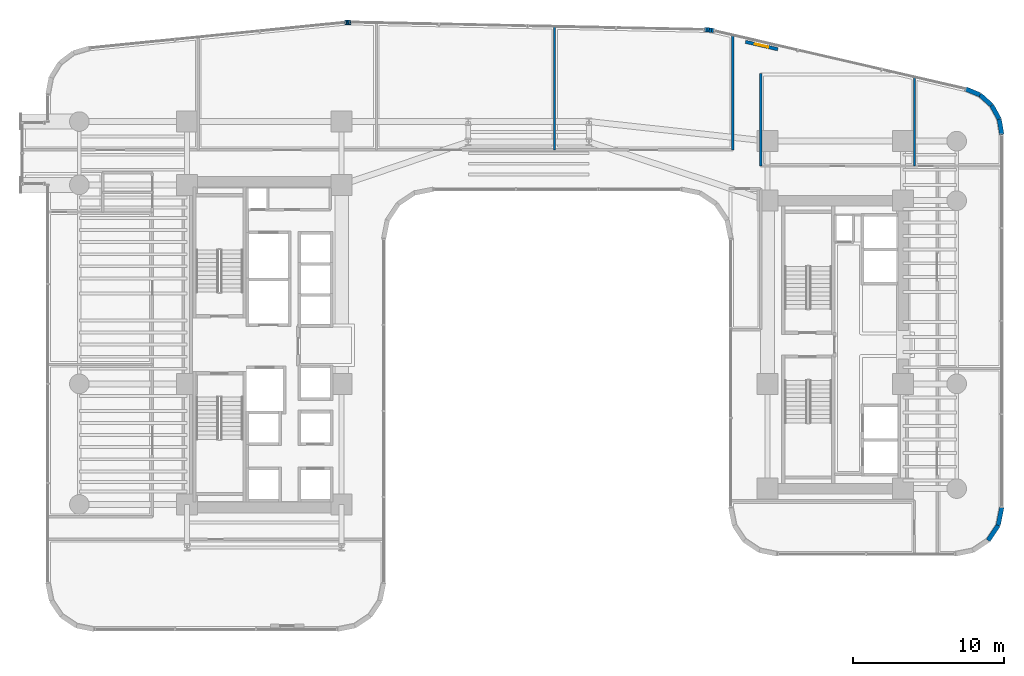
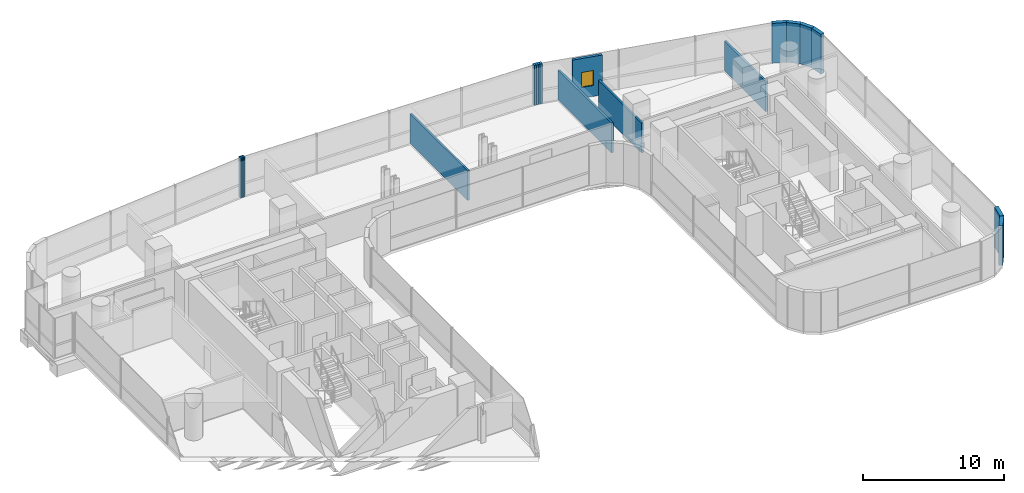
# One storey, part 35 of 40: 19 walls, 1 window, 1 opening.
"""IFC4 building model written with IfcOpenShell, lengths in metres."""

from ifc_helpers import new_model, si_unit, direction, frame, frame_2d, origin, place, context, subcontext, project, spatial, rectangle, extrude, material, layer, layer_set, type_object, element, fill, save


model = new_model("IFC4")

# Units and contexts
model_context = context("Model", 3, precision=1e-05, world=origin(), true_north=direction((0.0, 1.0)))
body_context = subcontext(model_context, "Body", "Model", "MODEL_VIEW")
ifc_project = project(units=[si_unit("LENGTHUNIT", "METRE"), si_unit("AREAUNIT", "SQUARE_METRE"), si_unit("VOLUMEUNIT", "CUBIC_METRE"), si_unit("PLANEANGLEUNIT", "RADIAN"), si_unit("MASSUNIT", "GRAM", prefix="KILO")], contexts=[model_context])

# Site, building, storey
site_placement = place(None, origin())
site = spatial("IfcSite", under=ifc_project, at=site_placement, CompositionType="ELEMENT")
building_placement = place(site_placement, origin())
building = spatial("IfcBuilding", under=site, at=building_placement, Name="Valdorenza Pilgrim Sanctuary Tower", CompositionType="ELEMENT")
storey_placement = place(building_placement, frame((0.0, 0.0, 51.89990234375)))
storey = spatial("IfcBuildingStorey", under=building, at=storey_placement, Name="L12", CompositionType="ELEMENT", Elevation=51.89990234375)

# Walls
ifc_material_1 = material(Name="Acoustic twin-stud gypsum partition", Category="gypsum")
ifc_layer_1 = layer(ifc_material_1, 0.159912109375, Name="Acoustic twin-stud gypsum partition")
ifc_layer_set_1 = layer_set([ifc_layer_1], Name="Acoustic twin-stud gypsum partition")
wall_type_1 = type_object("IfcWallType", Name="WAL-COR-160", PredefinedType="PARTITIONING", material=ifc_layer_set_1)
wall_1_placement = place(storey_placement, frame((13.550048828125, 12.919921875, 0.0), z_axis=(0.0, 0.0, 1.0), x_axis=(0.0, 1.0, 0.0)))
element("IfcWall", 1, at=wall_1_placement, inside=storey, type_object=wall_type_1, Name="L12 North Band East Closure", PredefinedType="PARTITIONING", context=body_context, shape_type="SweptSolid", body=[
    extrude(rectangle(XDim=7.609375, YDim=0.159912109375, at=frame_2d((3.8046875, 0.0))), origin(), (0.0, 0.0, 1.0), 2.5830078125),
])
wall_2_placement = place(storey_placement, frame((15.39990234375, 11.85009765625, 0.0), z_axis=(0.0, 0.0, 1.0), x_axis=(0.0, 1.0, 0.0)))
element("IfcWall", 2, at=wall_2_placement, inside=storey, type_object=wall_type_1, Name="L12 Wing B North West Wall", PredefinedType="PARTITIONING", context=body_context, shape_type="SweptSolid", body=[
    extrude(rectangle(XDim=6.14990234375, YDim=0.159912109375, at=frame_2d((3.074951171875, 0.0))), origin(), (0.0, 0.0, 1.0), 2.5830078125),
])
wall_3_placement = place(storey_placement, frame((25.60009765625, 11.85009765625, 0.0), z_axis=(0.0, 0.0, 1.0), x_axis=(0.0, 1.0, 0.0)))
element("IfcWall", 3, at=wall_3_placement, inside=storey, type_object=wall_type_1, Name="L12 Wing B North East Wall", PredefinedType="PARTITIONING", context=body_context, shape_type="SweptSolid", body=[
    extrude(rectangle(XDim=5.8984375, YDim=0.159912109375, at=frame_2d((2.94921875, 0.0))), origin(), (0.0, 0.0, 1.0), 2.5830078125),
])
ifc_material_2 = material(Name="Honed travertine limestone", Category="masonry")
ifc_layer_2 = layer(ifc_material_2, 0.300048828125, Name="Honed travertine limestone")
ifc_layer_set_2 = layer_set([ifc_layer_2], Name="Honed travertine limestone")
wall_type_2 = type_object("IfcWallType", Name="WAL-EXT-300", PredefinedType="SOLIDWALL", material=ifc_layer_set_2)
wall_4_placement = place(storey_placement, frame((-12.181884765625, 21.371337890625, 0.0), z_axis=(0.0, 0.0, 1.0), x_axis=(0.996527790842, 0.08326080759, 0.0)))
element("IfcWall", 4, at=wall_4_placement, inside=storey, type_object=wall_type_2, Name="L12 Rounded Wind-Corner Stone Pier 7", PredefinedType="SOLIDWALL", context=body_context, shape_type="SweptSolid", body=[
    extrude(rectangle(XDim=0.09375, YDim=0.300048828125, at=frame_2d((0.046875, 0.0))), origin(), (0.0, 0.0, 1.0), 3.460205078125),
])
wall_5_placement = place(storey_placement, frame((-12.08837890625, 21.379150390625, 0.0), z_axis=(0.0, 0.0, 1.0), x_axis=(0.998476480444, 0.055178963393, 0.0)))
element("IfcWall", 5, at=wall_5_placement, inside=storey, type_object=wall_type_2, Name="L12 Rounded Wind-Corner Stone Pier 8", PredefinedType="SOLIDWALL", context=body_context, shape_type="SweptSolid", body=[
    extrude(rectangle(XDim=0.093017578125, YDim=0.300048828125, at=frame_2d((0.04638671875, 0.0))), origin(), (0.0, 0.0, 1.0), 3.460205078125),
])
wall_6_placement = place(storey_placement, frame((-11.99560546875, 21.38427734375, 0.0), z_axis=(0.0, 0.0, 1.0), x_axis=(0.999722573757, 0.023553673204, 0.0)))
element("IfcWall", 6, at=wall_6_placement, inside=storey, type_object=wall_type_2, Name="L12 Rounded Wind-Corner Stone Pier 9", PredefinedType="SOLIDWALL", context=body_context, shape_type="SweptSolid", body=[
    extrude(rectangle(XDim=0.09326171875, YDim=0.300048828125, at=frame_2d((0.046630859375, 0.0))), origin(), (0.0, 0.0, 1.0), 3.460205078125),
])
wall_7_placement = place(storey_placement, frame((-11.90234375, 21.386474609375, 0.0), z_axis=(0.0, 0.0, 1.0), x_axis=(0.999986507273, -0.005194735103, 0.0)))
element("IfcWall", 7, at=wall_7_placement, inside=storey, type_object=wall_type_2, Name="L12 Rounded Wind-Corner Stone Pier 10", PredefinedType="SOLIDWALL", context=body_context, shape_type="SweptSolid", body=[
    extrude(rectangle(XDim=0.093994140625, YDim=0.300048828125, at=frame_2d((0.046875, 0.0))), origin(), (0.0, 0.0, 1.0), 3.460205078125),
])
wall_8_placement = place(storey_placement, frame((11.665771484375, 20.89697265625, 0.0), z_axis=(0.0, 0.0, 1.0), x_axis=(0.998885297239, -0.047203421059, 0.0)))
element("IfcWall", 8, at=wall_8_placement, inside=storey, type_object=wall_type_2, Name="L12 Rounded Wind-Corner Stone Pier 12", PredefinedType="SOLIDWALL", context=body_context, shape_type="SweptSolid", body=[
    extrude(rectangle(XDim=0.160400390625, YDim=0.300048828125, at=frame_2d((0.080078125, 0.0))), origin(), (0.0, 0.0, 1.0), 3.460205078125),
])
wall_9_placement = place(storey_placement, frame((11.825927734375, 20.889404296875, 0.0), z_axis=(0.0, 0.0, 1.0), x_axis=(0.995172891136, -0.098137234257, 0.0)))
element("IfcWall", 9, at=wall_9_placement, inside=storey, type_object=wall_type_2, Name="L12 Rounded Wind-Corner Stone Pier 13", PredefinedType="SOLIDWALL", context=body_context, shape_type="SweptSolid", body=[
    extrude(rectangle(XDim=0.1591796875, YDim=0.300048828125, at=frame_2d((0.07958984375, 0.0))), origin(), (0.0, 0.0, 1.0), 3.460205078125),
])
wall_10_placement = place(storey_placement, frame((11.984375, 20.873779296875, 0.0), z_axis=(0.0, 0.0, 1.0), x_axis=(0.988846069207, -0.148941100486, 0.0)))
element("IfcWall", 10, at=wall_10_placement, inside=storey, type_object=wall_type_2, Name="L12 Rounded Wind-Corner Stone Pier 14", PredefinedType="SOLIDWALL", context=body_context, shape_type="SweptSolid", body=[
    extrude(rectangle(XDim=0.158935546875, YDim=0.300048828125, at=frame_2d((0.07958984375, 0.0))), origin(), (0.0, 0.0, 1.0), 3.460205078125),
])
wall_11_placement = place(storey_placement, frame((12.1416015625, 20.85009765625, 0.0), z_axis=(0.0, 0.0, 1.0), x_axis=(0.979991950448, -0.19903712482, 0.0)))
element("IfcWall", 11, at=wall_11_placement, inside=storey, type_object=wall_type_2, Name="L12 Rounded Wind-Corner Stone Pier 15", PredefinedType="SOLIDWALL", context=body_context, shape_type="SweptSolid", body=[
    extrude(rectangle(XDim=0.16064453125, YDim=0.300048828125, at=frame_2d((0.080322265625, 0.0))), origin(), (0.0, 0.0, 1.0), 3.460205078125),
])

# Wall, opening, window
wall_12_placement = place(storey_placement, frame((14.388671875, 20.089599609375, 0.0), z_axis=(0.0, 0.0, 1.0), x_axis=(0.974400545997, -0.224818984875, 0.0)))
wall_12 = element("IfcWall", 12, at=wall_12_placement, inside=storey, type_object=wall_type_2, Name="L12 Operable Ventilation Sash Jamb Pier", PredefinedType="SOLIDWALL", context=body_context, shape_type="SweptSolid", body=[
    extrude(rectangle(XDim=2.2001953125, YDim=0.219970703125, at=frame_2d((1.10009765625, 0.0))), origin(), (0.0, 0.0, 1.0), 3.460205078125),
])
opening_placement = place(wall_12_placement, frame((0.64990234375, 0.0, 0.949951171875)))
opening = element("IfcOpeningElement", 13, at=opening_placement, cuts=wall_12, Name="Opening WN-OP1", PredefinedType="OPENING", context=body_context, shape_type="SweptSolid", body=[
    extrude(rectangle(XDim=0.89990234375, YDim=1.300048828125, at=frame_2d((0.449951171875, 0.64990234375))), frame((0.0, 0.125, 0.0), z_axis=(0.0, -1.0, 0.0), x_axis=(1.0, 0.0, 0.0)), (0.0, 0.0, 1.0), 0.249755859375),
])
ifc_material_3 = material(Name="Ceramic-fritted low-E IGU glazing", Category="glass")
window_type = type_object("IfcWindowType", Name="WIN-OPN-900", PartitioningType="SINGLE_PANEL", PredefinedType="WINDOW", material=ifc_material_3)
window_placement = place(opening_placement, origin())
window = element("IfcWindow", 14, at=window_placement, inside=storey, type_object=window_type, Name="L12 Parallel-Pop-Out Operable Facade Panel", OverallHeight=1.300048828125, OverallWidth=0.89990234375, PartitioningType="SINGLE_PANEL", PredefinedType="WINDOW", context=body_context, shape_type="SweptSolid", body=[
    extrude(rectangle(XDim=0.89990234375, YDim=1.300048828125, at=frame_2d((0.449951171875, 0.64990234375))), frame((0.0, 0.030029296875, 0.0), z_axis=(0.0, -1.0, 0.0), x_axis=(1.0, 0.0, 0.0)), (0.0, 0.0, 1.0), 0.06005859375),
])
fill(opening, window)

# Walls
wall_13_placement = place(storey_placement, frame((28.98583984375, 16.96728515625, 0.0), z_axis=(0.0, 0.0, 1.0), x_axis=(0.923083852684, -0.384598753136, 0.0)))
element("IfcWall", 15, at=wall_13_placement, inside=storey, type_object=wall_type_2, Name="L12 Rounded Wind-Corner Stone Pier 17", PredefinedType="SOLIDWALL", context=body_context, shape_type="SweptSolid", body=[
    extrude(rectangle(XDim=1.042236328125, YDim=0.300048828125, at=frame_2d((0.52099609375, 0.0))), origin(), (0.0, 0.0, 1.0), 3.460205078125),
])
wall_14_placement = place(storey_placement, frame((29.947998046875, 16.56640625, 0.0), z_axis=(0.0, 0.0, 1.0), x_axis=(0.744585645533, -0.66752694063, 0.0)))
element("IfcWall", 16, at=wall_14_placement, inside=storey, type_object=wall_type_2, Name="L12 Rounded Wind-Corner Stone Pier 18", PredefinedType="SOLIDWALL", context=body_context, shape_type="SweptSolid", body=[
    extrude(rectangle(XDim=1.032958984375, YDim=0.300048828125, at=frame_2d((0.5166015625, 0.0))), origin(), (0.0, 0.0, 1.0), 3.460205078125),
])
wall_15_placement = place(storey_placement, frame((30.717041015625, 15.876953125, 0.0), z_axis=(0.0, 0.0, 1.0), x_axis=(0.482971098131, -0.875636293429, 0.0)))
element("IfcWall", 17, at=wall_15_placement, inside=storey, type_object=wall_type_2, Name="L12 Rounded Wind-Corner Stone Pier 19", PredefinedType="SOLIDWALL", context=body_context, shape_type="SweptSolid", body=[
    extrude(rectangle(XDim=1.03271484375, YDim=0.300048828125, at=frame_2d((0.516357421875, 0.0))), origin(), (0.0, 0.0, 1.0), 3.460205078125),
])
wall_16_placement = place(storey_placement, frame((31.2158203125, 14.97265625, 0.0), z_axis=(0.0, 0.0, 1.0), x_axis=(0.167019462117, -0.985953598946, 0.0)))
element("IfcWall", 18, at=wall_16_placement, inside=storey, type_object=wall_type_2, Name="L12 Rounded Wind-Corner Stone Pier 20", PredefinedType="SOLIDWALL", context=body_context, shape_type="SweptSolid", body=[
    extrude(rectangle(XDim=1.042236328125, YDim=0.300048828125, at=frame_2d((0.52099609375, 0.0))), origin(), (0.0, 0.0, 1.0), 3.460205078125),
])
wall_17_placement = place(storey_placement, frame((31.389892578125, -10.789306640625, 0.0), z_axis=(0.0, 0.0, 1.0), x_axis=(-0.194996050505, -0.980804027463, 0.0)))
element("IfcWall", 19, at=wall_17_placement, inside=storey, type_object=wall_type_2, Name="L12 Rounded Wind-Corner Stone Pier 22", PredefinedType="SOLIDWALL", context=body_context, shape_type="SweptSolid", body=[
    extrude(rectangle(XDim=1.2158203125, YDim=0.300048828125, at=frame_2d((0.60791015625, 0.0))), origin(), (0.0, 0.0, 1.0), 3.460205078125),
])
wall_18_placement = place(storey_placement, frame((31.15283203125, -11.981689453125, 0.0), z_axis=(0.0, 0.0, 1.0), x_axis=(-0.555635100982, -0.831426265255, 0.0)))
element("IfcWall", 20, at=wall_18_placement, inside=storey, type_object=wall_type_2, Name="L12 Rounded Wind-Corner Stone Pier 23", PredefinedType="SOLIDWALL", context=body_context, shape_type="SweptSolid", body=[
    extrude(rectangle(XDim=1.204833984375, YDim=0.300048828125, at=frame_2d((0.6025390625, 0.0))), origin(), (0.0, 0.0, 1.0), 3.460205078125),
])
ifc_layer_3 = layer(ifc_material_1, 0.14990234375, Name="Acoustic twin-stud gypsum partition")
ifc_layer_set_3 = layer_set([ifc_layer_3], Name="Acoustic twin-stud gypsum partition")
wall_type_3 = type_object("IfcWallType", Name="WAL-UNT-150", PredefinedType="PARTITIONING", material=ifc_layer_set_3)
wall_19_placement = place(storey_placement, frame((1.7275390625, 12.919921875, 0.0), z_axis=(0.0, 0.0, 1.0), x_axis=(0.0, 1.0, 0.0)))
element("IfcWall", 21, at=wall_19_placement, inside=storey, type_object=wall_type_3, Name="L12 Sacred Art Exhibition Gallery L12-N4 Demising Wall", PredefinedType="PARTITIONING", context=body_context, shape_type="SweptSolid", body=[
    extrude(rectangle(XDim=8.18408203125, YDim=0.14990234375, at=frame_2d((4.092041015625, 0.0))), origin(), (0.0, 0.0, 1.0), 2.5830078125),
])

save(model, "model.ifc")
